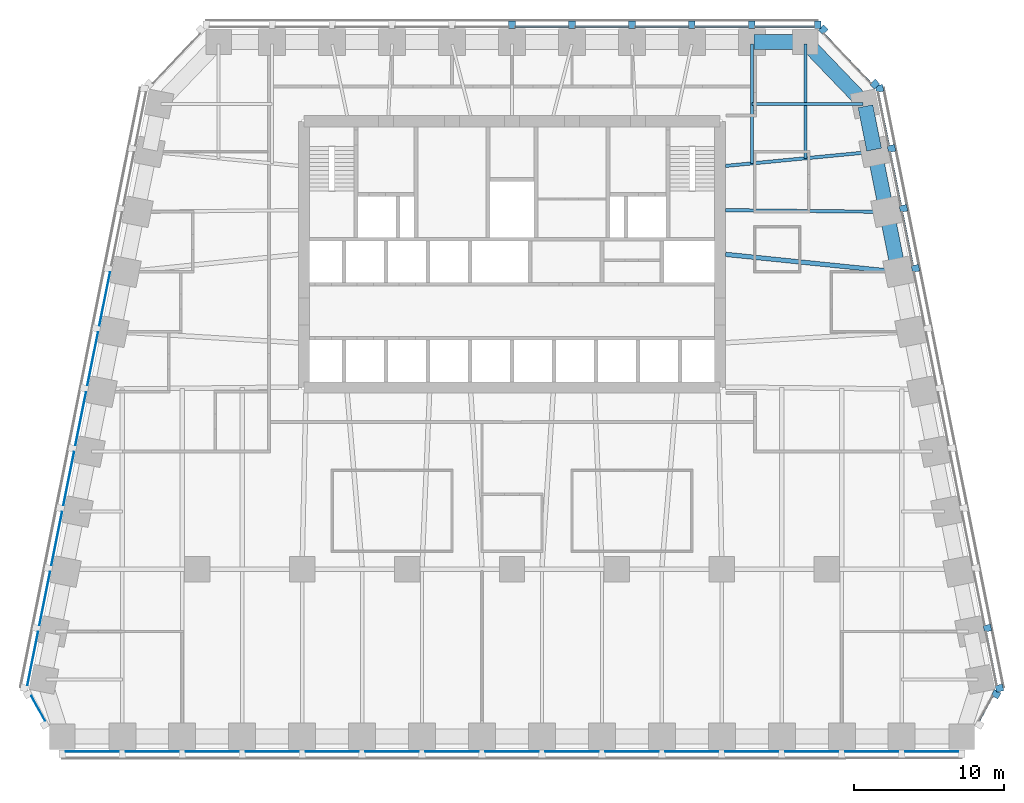
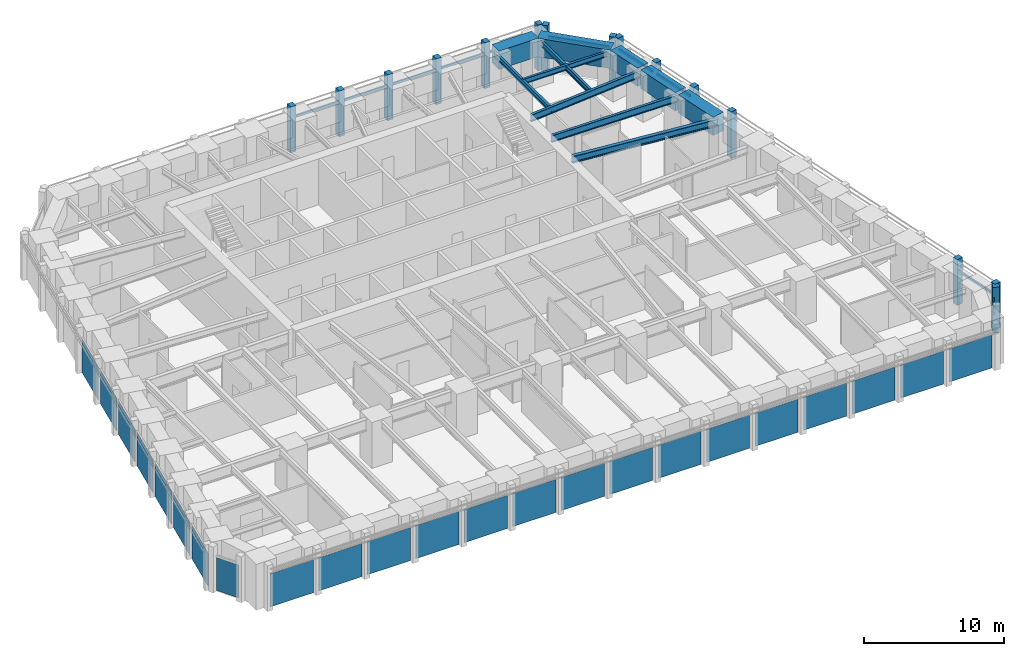
# One storey, part 4 of 10: 26 members, 23 plates, 11 beams, 7 elements without a shape of their own.
"""IFC4 building model written with IfcOpenShell, lengths in metres."""

from ifc_helpers import new_model, si_unit, direction, frame, origin, origin_2d, place, context, subcontext, project, spatial, rectangle, i_section, extrude, material, layer, layer_set, material_profile, profile_set, type_object, element, aggregate, save


model = new_model("IFC4")

# Units and contexts
model_context = context("Model", 3, precision=1e-05, world=origin(), true_north=direction((0.0, 1.0)))
body_context = subcontext(model_context, "Body", "Model", "MODEL_VIEW")
ifc_project = project(units=[si_unit("LENGTHUNIT", "METRE"), si_unit("AREAUNIT", "SQUARE_METRE"), si_unit("VOLUMEUNIT", "CUBIC_METRE"), si_unit("PLANEANGLEUNIT", "RADIAN"), si_unit("MASSUNIT", "GRAM", prefix="KILO")], contexts=[model_context])

# Site, building, storey
site_placement = place(None, origin())
site = spatial("IfcSite", under=ifc_project, at=site_placement, CompositionType="ELEMENT")
building_placement = place(site_placement, origin())
building = spatial("IfcBuilding", under=site, at=building_placement, Name="Isbrekke Arena Tower", CompositionType="ELEMENT")
storey_placement = place(building_placement, frame((0.0, 0.0, 123.0)))
storey = spatial("IfcBuildingStorey", under=building, at=storey_placement, Name="L27", CompositionType="ELEMENT", Elevation=123.0)

# Beams
ifc_material_1 = material(Name="Steel S355", Category="steel")
ifc_material_profile_1 = material_profile(ifc_material_1, i_section(OverallWidth=0.219970703125, OverallDepth=0.60009765625, WebThickness=0.011962890625, FlangeThickness=0.01904296875, FilletRadius=0.02392578125, at=origin_2d()), Name="IPE 600")
ifc_profile_set_1 = profile_set([ifc_material_profile_1], Name="Steel S355")
beam_type_1 = type_object("IfcBeamType", Name="B1 IPE 600", PredefinedType="BEAM", material=ifc_profile_set_1)
beam_1_placement = place(storey_placement, frame((24.83984375, 17.838134765625, 3.550048828125), z_axis=(-0.999944260169, 0.010558245831, 0.0), x_axis=(-0.010558245831, -0.999944260169, 0.0)))
element("IfcBeam", 1, at=beam_1_placement, inside=storey, type_object=beam_type_1, Name="B1 beam E-E09 L27", PredefinedType="BEAM", context=body_context, shape_type="SweptSolid", body=[
    extrude(i_section(OverallWidth=0.219970703125, OverallDepth=0.60009765625, WebThickness=0.011962890625, FlangeThickness=0.01904296875, FilletRadius=0.02392578125, at=origin_2d()), origin(), (0.0, 0.0, 1.0), 10.59033203125),
])
beam_2_placement = place(storey_placement, frame((24.030517578125, 21.837158203125, 3.550048828125), z_axis=(-0.995439798606, -0.095391862082, 0.0), x_axis=(0.095391862082, -0.995439798606, 0.0)))
element("IfcBeam", 2, at=beam_2_placement, inside=storey, type_object=beam_type_1, Name="B1 beam E-E10 L27", PredefinedType="BEAM", context=body_context, shape_type="SweptSolid", body=[
    extrude(i_section(OverallWidth=0.219970703125, OverallDepth=0.60009765625, WebThickness=0.011962890625, FlangeThickness=0.01904296875, FilletRadius=0.02392578125, at=origin_2d()), origin(), (0.0, 0.0, 1.0), 9.825439453125),
])
ifc_material_2 = material(Name="Steel S355", Category="steel")
ifc_material_profile_2 = material_profile(ifc_material_2, i_section(OverallWidth=0.18994140625, OverallDepth=0.449951171875, WebThickness=0.009521484375, FlangeThickness=0.0146484375, FilletRadius=0.02099609375, at=origin_2d()), Name="IPE 450")
ifc_profile_set_2 = profile_set([ifc_material_profile_2], Name="Steel S355")
beam_type_2 = type_object("IfcBeamType", Name="B2 IPE 450", PredefinedType="BEAM", material=ifc_profile_set_2)
beam_3_placement = place(storey_placement, frame((23.40283203125, 25.029296875, 3.625), z_axis=(-1.0, 0.0, 0.0), x_axis=(0.0, -1.0, 0.0)))
element("IfcBeam", 3, at=beam_3_placement, inside=storey, type_object=beam_type_2, Name="B2 beam E-E11 L27", PredefinedType="BEAM", context=body_context, shape_type="SweptSolid", body=[
    extrude(i_section(OverallWidth=0.18994140625, OverallDepth=0.449951171875, WebThickness=0.009521484375, FlangeThickness=0.0146484375, FilletRadius=0.02099609375, at=origin_2d()), origin(), (0.0, 0.0, 1.0), 7.40283203125),
])
ifc_material_3 = material(Name="Steel S355", Category="steel")
ifc_material_profile_3 = material_profile(ifc_material_3, i_section(OverallWidth=0.18994140625, OverallDepth=0.449951171875, WebThickness=0.009521484375, FlangeThickness=0.0146484375, FilletRadius=0.02099609375, at=origin_2d()), Name="IPE 450")
ifc_profile_set_3 = profile_set([ifc_material_profile_3], Name="Steel S355")
beam_type_3 = type_object("IfcBeamType", Name="B3 IPE 450", PredefinedType="BEAM", material=ifc_profile_set_3)
beam_4_placement = place(storey_placement, frame((19.574951171875, 29.02490234375, 3.625), z_axis=(0.0, -1.0, 0.0), x_axis=(1.0, 0.0, 0.0)))
element("IfcBeam", 4, at=beam_4_placement, inside=storey, type_object=beam_type_3, Name="B3 beam N-N01 L27", PredefinedType="BEAM", context=body_context, shape_type="SweptSolid", body=[
    extrude(i_section(OverallWidth=0.18994140625, OverallDepth=0.449951171875, WebThickness=0.009521484375, FlangeThickness=0.0146484375, FilletRadius=0.02099609375, at=origin_2d()), origin(), (0.0, 0.0, 1.0), 7.61474609375),
])
beam_5_placement = place(storey_placement, frame((16.0, 29.02490234375, 3.625), z_axis=(0.0, -1.0, 0.0), x_axis=(1.0, 0.0, 0.0)))
element("IfcBeam", 5, at=beam_5_placement, inside=storey, type_object=beam_type_3, Name="B3 beam N-N02 L27", PredefinedType="BEAM", context=body_context, shape_type="SweptSolid", body=[
    extrude(i_section(OverallWidth=0.18994140625, OverallDepth=0.449951171875, WebThickness=0.009521484375, FlangeThickness=0.0146484375, FilletRadius=0.02099609375, at=origin_2d()), origin(), (0.0, 0.0, 1.0), 7.957275390625),
])
ifc_material_4 = material(Name="Steel S355", Category="steel")
ifc_material_profile_4 = material_profile(ifc_material_4, i_section(OverallWidth=0.300048828125, OverallDepth=0.60009765625, WebThickness=0.015380859375, FlangeThickness=0.030029296875, FilletRadius=0.027099609375, at=origin_2d()), Name="HEB 600")
ifc_profile_set_4 = profile_set([ifc_material_profile_4], Name="Steel S355")
beam_type_4 = type_object("IfcBeamType", Name="B7 HEB 600", PredefinedType="BEAM", material=ifc_profile_set_4)
beam_6_placement = place(storey_placement, frame((25.6259765625, 13.83984375, 3.550048828125), z_axis=(-0.994839949319, 0.10145676537, 0.0), x_axis=(-0.10145676537, -0.994839949319, 0.0)))
element("IfcBeam", 6, at=beam_6_placement, inside=storey, type_object=beam_type_4, Name="B7 beam E-E08 L27", PredefinedType="BEAM", context=body_context, shape_type="SweptSolid", body=[
    extrude(i_section(OverallWidth=0.300048828125, OverallDepth=0.60009765625, WebThickness=0.015380859375, FlangeThickness=0.030029296875, FilletRadius=0.027099609375, at=origin_2d()), origin(), (0.0, 0.0, 1.0), 11.43505859375),
])

# Curtain wall, member
ifc_material_5 = material(Name="Glazed aluminium curtain wall", Category="aluminium")
curtain_wall_type = type_object("IfcCurtainWallType", Name="CWM TOWER CURTAIN WALL MID ZONE", PredefinedType="USERDEFINED", material=ifc_material_5)
curtain_wall_1_placement = place(storey_placement, origin())
curtain_wall_1 = element("IfcCurtainWall", 7, at=curtain_wall_1_placement, inside=storey, type_object=curtain_wall_type, Name="CWM curtain wall L27-SE", ObjectType="TOWER CURTAIN WALL MID ZONE", PredefinedType="USERDEFINED")
ifc_material_6 = material(Name="Aluminium mullion, pale brick slip cladding", Category="masonry")
ifc_material_profile_5 = material_profile(ifc_material_6, rectangle(XDim=0.449951171875, YDim=0.5, at=origin_2d()), Name="PIER 450X500")
ifc_profile_set_5 = profile_set([ifc_material_profile_5], Name="Aluminium mullion, pale brick slip cladding")
member_type_1 = type_object("IfcMemberType", Name="CWM-M PIER MULLION 450 x 500", PredefinedType="MULLION", material=ifc_profile_set_5)
member_1_placement = place(storey_placement, frame((32.296142578125, -14.34375, 0.0), z_axis=(0.0, 0.0, 1.0), x_axis=(0.481918749773, 0.876215908676, 0.0)))
member_1 = element("IfcMember", 8, at=member_1_placement, type_object=member_type_1, Name="CWM-M mullion 2", PredefinedType="MULLION", context=body_context, shape_type="SweptSolid", body=[
    extrude(rectangle(XDim=0.449951171875, YDim=0.5, at=origin_2d()), origin(), (0.0, 0.0, 1.0), 4.0),
])

# Curtain wall, members
curtain_wall_2_placement = place(storey_placement, origin())
curtain_wall_2 = element("IfcCurtainWall", 9, at=curtain_wall_2_placement, inside=storey, type_object=curtain_wall_type, Name="CWM curtain wall L27-E", ObjectType="TOWER CURTAIN WALL MID ZONE", PredefinedType="USERDEFINED")
member_2_placement = place(storey_placement, frame((32.518798828125, -13.936279296875, 0.0), z_axis=(0.0, 0.0, 1.0), x_axis=(-0.196116135138, 0.980580675691, 0.0)))
member_2 = element("IfcMember", 10, at=member_2_placement, type_object=member_type_1, Name="CWM-M mullion 1", PredefinedType="MULLION", context=body_context, shape_type="SweptSolid", body=[
    extrude(rectangle(XDim=0.449951171875, YDim=0.5, at=origin_2d()), origin(), (0.0, 0.0, 1.0), 4.0),
])
member_3_placement = place(storey_placement, frame((31.71875, -9.936279296875, 0.0), z_axis=(0.0, 0.0, 1.0), x_axis=(-0.196116135138, 0.980580675691, 0.0)))
member_3 = element("IfcMember", 11, at=member_3_placement, type_object=member_type_1, Name="CWM-M mullion 2", PredefinedType="MULLION", context=body_context, shape_type="SweptSolid", body=[
    extrude(rectangle(XDim=0.449951171875, YDim=0.5, at=origin_2d()), origin(), (0.0, 0.0, 1.0), 4.0),
])
member_4_placement = place(storey_placement, frame((26.918701171875, 14.063720703125, 0.0), z_axis=(0.0, 0.0, 1.0), x_axis=(-0.196116135138, 0.980580675691, 0.0)))
member_4 = element("IfcMember", 12, at=member_4_placement, type_object=member_type_1, Name="CWM-M mullion 8", PredefinedType="MULLION", context=body_context, shape_type="SweptSolid", body=[
    extrude(rectangle(XDim=0.449951171875, YDim=0.5, at=origin_2d()), origin(), (0.0, 0.0, 1.0), 4.0),
])
member_5_placement = place(storey_placement, frame((26.11865234375, 18.063720703125, 0.0), z_axis=(0.0, 0.0, 1.0), x_axis=(-0.196116135138, 0.980580675691, 0.0)))
member_5 = element("IfcMember", 13, at=member_5_placement, type_object=member_type_1, Name="CWM-M mullion 9", PredefinedType="MULLION", context=body_context, shape_type="SweptSolid", body=[
    extrude(rectangle(XDim=0.449951171875, YDim=0.5, at=origin_2d()), origin(), (0.0, 0.0, 1.0), 4.0),
])
member_6_placement = place(storey_placement, frame((25.318603515625, 22.063720703125, 0.0), z_axis=(0.0, 0.0, 1.0), x_axis=(-0.196116135138, 0.980580675691, 0.0)))
member_6 = element("IfcMember", 14, at=member_6_placement, type_object=member_type_1, Name="CWM-M mullion 10", PredefinedType="MULLION", context=body_context, shape_type="SweptSolid", body=[
    extrude(rectangle(XDim=0.449951171875, YDim=0.5, at=origin_2d()), origin(), (0.0, 0.0, 1.0), 4.0),
])
member_7_placement = place(storey_placement, frame((24.518798828125, 26.063720703125, 0.0), z_axis=(0.0, 0.0, 1.0), x_axis=(-0.196116135138, 0.980580675691, 0.0)))
member_7 = element("IfcMember", 15, at=member_7_placement, type_object=member_type_1, Name="CWM-M mullion 11", PredefinedType="MULLION", context=body_context, shape_type="SweptSolid", body=[
    extrude(rectangle(XDim=0.449951171875, YDim=0.5, at=origin_2d()), origin(), (0.0, 0.0, 1.0), 4.0),
])

curtain_wall_3_placement = place(storey_placement, origin())
curtain_wall_3 = element("IfcCurtainWall", 16, at=curtain_wall_3_placement, inside=storey, type_object=curtain_wall_type, Name="CWM curtain wall L27-EN", ObjectType="TOWER CURTAIN WALL MID ZONE", PredefinedType="USERDEFINED")
member_8_placement = place(storey_placement, frame((24.208251953125, 26.354248046875, 0.0), z_axis=(0.0, 0.0, 1.0), x_axis=(-0.68874946192, 0.72499943359, 0.0)))
member_8 = element("IfcMember", 17, at=member_8_placement, type_object=member_type_1, Name="CWM-M mullion 1", PredefinedType="MULLION", context=body_context, shape_type="SweptSolid", body=[
    extrude(rectangle(XDim=0.449951171875, YDim=0.5, at=origin_2d()), origin(), (0.0, 0.0, 1.0), 4.0),
])
member_9_placement = place(storey_placement, frame((20.7587890625, 29.9853515625, 0.0), z_axis=(0.0, 0.0, 1.0), x_axis=(-0.68874946192, 0.72499943359, 0.0)))
member_9 = element("IfcMember", 18, at=member_9_placement, type_object=member_type_1, Name="CWM-M mullion 2", PredefinedType="MULLION", context=body_context, shape_type="SweptSolid", body=[
    extrude(rectangle(XDim=0.449951171875, YDim=0.5, at=origin_2d()), origin(), (0.0, 0.0, 1.0), 4.0),
])

curtain_wall_4_placement = place(storey_placement, origin())
curtain_wall_4 = element("IfcCurtainWall", 19, at=curtain_wall_4_placement, inside=storey, type_object=curtain_wall_type, Name="CWM curtain wall L27-N", ObjectType="TOWER CURTAIN WALL MID ZONE", PredefinedType="USERDEFINED")
member_10_placement = place(storey_placement, frame((20.39990234375, 30.324951171875, 0.0), z_axis=(0.0, 0.0, 1.0), x_axis=(-1.0, 0.0, 0.0)))
member_10 = element("IfcMember", 20, at=member_10_placement, type_object=member_type_1, Name="CWM-M mullion 1", PredefinedType="MULLION", context=body_context, shape_type="SweptSolid", body=[
    extrude(rectangle(XDim=0.449951171875, YDim=0.5, at=origin_2d()), origin(), (0.0, 0.0, 1.0), 4.0),
])
member_11_placement = place(storey_placement, frame((16.0, 30.324951171875, 0.0), z_axis=(0.0, 0.0, 1.0), x_axis=(-1.0, 0.0, 0.0)))
member_11 = element("IfcMember", 21, at=member_11_placement, type_object=member_type_1, Name="CWM-M mullion 2", PredefinedType="MULLION", context=body_context, shape_type="SweptSolid", body=[
    extrude(rectangle(XDim=0.449951171875, YDim=0.5, at=origin_2d()), origin(), (0.0, 0.0, 1.0), 4.0),
])
member_12_placement = place(storey_placement, frame((12.0, 30.324951171875, 0.0), z_axis=(0.0, 0.0, 1.0), x_axis=(-1.0, 0.0, 0.0)))
member_12 = element("IfcMember", 22, at=member_12_placement, type_object=member_type_1, Name="CWM-M mullion 3", PredefinedType="MULLION", context=body_context, shape_type="SweptSolid", body=[
    extrude(rectangle(XDim=0.449951171875, YDim=0.5, at=origin_2d()), origin(), (0.0, 0.0, 1.0), 4.0),
])
member_13_placement = place(storey_placement, frame((8.0, 30.324951171875, 0.0), z_axis=(0.0, 0.0, 1.0), x_axis=(-1.0, 0.0, 0.0)))
member_13 = element("IfcMember", 23, at=member_13_placement, type_object=member_type_1, Name="CWM-M mullion 4", PredefinedType="MULLION", context=body_context, shape_type="SweptSolid", body=[
    extrude(rectangle(XDim=0.449951171875, YDim=0.5, at=origin_2d()), origin(), (0.0, 0.0, 1.0), 4.0),
])
member_14_placement = place(storey_placement, frame((4.0, 30.324951171875, 0.0), z_axis=(0.0, 0.0, 1.0), x_axis=(-1.0, 0.0, 0.0)))
member_14 = element("IfcMember", 24, at=member_14_placement, type_object=member_type_1, Name="CWM-M mullion 5", PredefinedType="MULLION", context=body_context, shape_type="SweptSolid", body=[
    extrude(rectangle(XDim=0.449951171875, YDim=0.5, at=origin_2d()), origin(), (0.0, 0.0, 1.0), 4.0),
])
member_15_placement = place(storey_placement, frame((0.0, 30.324951171875, 0.0), z_axis=(0.0, 0.0, 1.0), x_axis=(-1.0, 0.0, 0.0)))
member_15 = element("IfcMember", 25, at=member_15_placement, type_object=member_type_1, Name="CWM-M mullion 6", PredefinedType="MULLION", context=body_context, shape_type="SweptSolid", body=[
    extrude(rectangle(XDim=0.449951171875, YDim=0.5, at=origin_2d()), origin(), (0.0, 0.0, 1.0), 4.0),
])

# Member
ifc_material_7 = material(Name="Aluminium transom", Category="aluminium")
ifc_material_profile_6 = material_profile(ifc_material_7, rectangle(XDim=0.1201171875, YDim=0.199951171875, at=origin_2d()), Name="TRANSOM 120X200")
ifc_profile_set_6 = profile_set([ifc_material_profile_6], Name="Aluminium transom")
member_type_2 = type_object("IfcMemberType", Name="CWM-T TRANSOM 120 x 200", PredefinedType="USERDEFINED", material=ifc_profile_set_6)
member_16_placement = place(storey_placement, frame((31.152099609375, -16.112548828125, 3.0), z_axis=(0.482003669577, 0.876169197424, 0.0), x_axis=(-0.876169197424, 0.482003669577, 0.0)))
member_16 = element("IfcMember", 26, at=member_16_placement, type_object=member_type_2, Name="CWM-T transom 1", ObjectType="TRANSOM", PredefinedType="USERDEFINED", context=body_context, shape_type="SweptSolid", body=[
    extrude(rectangle(XDim=0.1201171875, YDim=0.199951171875, at=origin_2d()), origin(), (0.0, 0.0, 1.0), 1.876220703125),
])

aggregate(curtain_wall_1, [member_1, member_16])

member_17_placement = place(storey_placement, frame((32.327392578125, -13.7451171875, 3.0), z_axis=(-0.196090262229, 0.980585849918, 0.0), x_axis=(-0.980585849918, -0.196090262229, 0.0)))
member_17 = element("IfcMember", 27, at=member_17_placement, type_object=member_type_2, Name="CWM-T transom 1", ObjectType="TRANSOM", PredefinedType="USERDEFINED", context=body_context, shape_type="SweptSolid", body=[
    extrude(rectangle(XDim=0.1201171875, YDim=0.199951171875, at=origin_2d()), origin(), (0.0, 0.0, 1.0), 3.62939453125),
])

member_18_placement = place(storey_placement, frame((26.7275390625, 14.2548828125, 3.0), z_axis=(-0.196154943734, 0.980572913173, 0.0), x_axis=(-0.980572913173, -0.196154943734, 0.0)))
member_18 = element("IfcMember", 28, at=member_18_placement, type_object=member_type_2, Name="CWM-T transom 8", ObjectType="TRANSOM", PredefinedType="USERDEFINED", context=body_context, shape_type="SweptSolid", body=[
    extrude(rectangle(XDim=0.1201171875, YDim=0.199951171875, at=origin_2d()), origin(), (0.0, 0.0, 1.0), 3.62939453125),
])

member_19_placement = place(storey_placement, frame((25.927490234375, 18.2548828125, 3.0), z_axis=(-0.196090262229, 0.980585849918, 0.0), x_axis=(-0.980585849918, -0.196090262229, 0.0)))
member_19 = element("IfcMember", 29, at=member_19_placement, type_object=member_type_2, Name="CWM-T transom 9", ObjectType="TRANSOM", PredefinedType="USERDEFINED", context=body_context, shape_type="SweptSolid", body=[
    extrude(rectangle(XDim=0.1201171875, YDim=0.199951171875, at=origin_2d()), origin(), (0.0, 0.0, 1.0), 3.62939453125),
])

member_20_placement = place(storey_placement, frame((25.12744140625, 22.2548828125, 3.0), z_axis=(-0.196090262229, 0.980585849918, 0.0), x_axis=(-0.980585849918, -0.196090262229, 0.0)))
member_20 = element("IfcMember", 30, at=member_20_placement, type_object=member_type_2, Name="CWM-T transom 10", ObjectType="TRANSOM", PredefinedType="USERDEFINED", context=body_context, shape_type="SweptSolid", body=[
    extrude(rectangle(XDim=0.1201171875, YDim=0.199951171875, at=origin_2d()), origin(), (0.0, 0.0, 1.0), 3.62939453125),
])

aggregate(curtain_wall_2, [member_2, member_3, member_4, member_5, member_6, member_7, member_17, member_18, member_19, member_20])

member_21_placement = place(storey_placement, frame((23.944580078125, 26.4140625, 3.0), z_axis=(-0.688771983213, 0.724978037696, 0.0), x_axis=(-0.724978037696, -0.688771983213, 0.0)))
member_21 = element("IfcMember", 31, at=member_21_placement, type_object=member_type_2, Name="CWM-T transom 1", ObjectType="TRANSOM", PredefinedType="USERDEFINED", context=body_context, shape_type="SweptSolid", body=[
    extrude(rectangle(XDim=0.1201171875, YDim=0.199951171875, at=origin_2d()), origin(), (0.0, 0.0, 1.0), 4.558349609375),
])

aggregate(curtain_wall_3, [member_8, member_9, member_21])

member_22_placement = place(storey_placement, frame((20.175048828125, 30.175048828125, 3.0), z_axis=(-1.0, 0.0, 0.0), x_axis=(0.0, -1.0, 0.0)))
member_22 = element("IfcMember", 32, at=member_22_placement, type_object=member_type_2, Name="CWM-T transom 1", ObjectType="TRANSOM", PredefinedType="USERDEFINED", context=body_context, shape_type="SweptSolid", body=[
    extrude(rectangle(XDim=0.1201171875, YDim=0.199951171875, at=origin_2d()), origin(), (0.0, 0.0, 1.0), 3.949951171875),
])

member_23_placement = place(storey_placement, frame((15.77490234375, 30.175048828125, 3.0), z_axis=(-1.0, 0.0, 0.0), x_axis=(0.0, -1.0, 0.0)))
member_23 = element("IfcMember", 33, at=member_23_placement, type_object=member_type_2, Name="CWM-T transom 2", ObjectType="TRANSOM", PredefinedType="USERDEFINED", context=body_context, shape_type="SweptSolid", body=[
    extrude(rectangle(XDim=0.1201171875, YDim=0.199951171875, at=origin_2d()), origin(), (0.0, 0.0, 1.0), 3.5498046875),
])

member_24_placement = place(storey_placement, frame((11.77490234375, 30.175048828125, 3.0), z_axis=(-1.0, 0.0, 0.0), x_axis=(0.0, -1.0, 0.0)))
member_24 = element("IfcMember", 34, at=member_24_placement, type_object=member_type_2, Name="CWM-T transom 3", ObjectType="TRANSOM", PredefinedType="USERDEFINED", context=body_context, shape_type="SweptSolid", body=[
    extrude(rectangle(XDim=0.1201171875, YDim=0.199951171875, at=origin_2d()), origin(), (0.0, 0.0, 1.0), 3.5498046875),
])

member_25_placement = place(storey_placement, frame((7.77490234375, 30.175048828125, 3.0), z_axis=(-1.0, 0.0, 0.0), x_axis=(0.0, -1.0, 0.0)))
member_25 = element("IfcMember", 35, at=member_25_placement, type_object=member_type_2, Name="CWM-T transom 4", ObjectType="TRANSOM", PredefinedType="USERDEFINED", context=body_context, shape_type="SweptSolid", body=[
    extrude(rectangle(XDim=0.1201171875, YDim=0.199951171875, at=origin_2d()), origin(), (0.0, 0.0, 1.0), 3.5498046875),
])

member_26_placement = place(storey_placement, frame((3.77490234375, 30.175048828125, 3.0), z_axis=(-1.0, 0.0, 0.0), x_axis=(0.0, -1.0, 0.0)))
member_26 = element("IfcMember", 36, at=member_26_placement, type_object=member_type_2, Name="CWM-T transom 5", ObjectType="TRANSOM", PredefinedType="USERDEFINED", context=body_context, shape_type="SweptSolid", body=[
    extrude(rectangle(XDim=0.1201171875, YDim=0.199951171875, at=origin_2d()), origin(), (0.0, 0.0, 1.0), 3.5498046875),
])

aggregate(curtain_wall_4, [member_10, member_11, member_12, member_13, member_14, member_15, member_22, member_23, member_24, member_25, member_26])

# Beams
ifc_material_8 = material(Name="Concrete B80 (C80/95)", Category="concrete")
ifc_material_profile_7 = material_profile(ifc_material_8, rectangle(XDim=1.0, YDim=1.60009765625, at=origin_2d()), Name="RC 1000x1600")
ifc_profile_set_7 = profile_set([ifc_material_profile_7], Name="Concrete B80 (C80/95)")
beam_type_5 = type_object("IfcBeamType", Name="SB2 RC 1000 x 1600", PredefinedType="SPANDREL", material=ifc_profile_set_7)
for number, where, z_axis, x_axis, name in (
    (37, (25.76171875, 13.9853515625, 3.199951171875), (-0.196128558387, 0.980578190959, 0.0), (-0.980578190959, -0.196128558387, 0.0), "SB2 spandrel E08-E09 L27"),
    (38, (24.961669921875, 17.9853515625, 3.199951171875), (-0.196128558387, 0.980578190959, 0.0), (-0.980578190959, -0.196128558387, 0.0), "SB2 spandrel E09-E10 L27"),
):
    element("IfcBeam", number, at=place(storey_placement, frame(where, z_axis=z_axis, x_axis=x_axis)), inside=storey, type_object=beam_type_5, Name=name, PredefinedType="SPANDREL", context=body_context, shape_type="SweptSolid", body=[
        extrude(rectangle(XDim=1.0, YDim=1.60009765625, at=origin_2d()), origin(), (0.0, 0.0, 1.0), 3.779296875),
    ])
beam_7_placement = place(storey_placement, frame((24.16162109375, 21.9853515625, 3.199951171875), z_axis=(-0.196116135138, 0.980580675691, 0.0), x_axis=(-0.980580675691, -0.196116135138, 0.0)))
element("IfcBeam", 39, at=beam_7_placement, inside=storey, type_object=beam_type_5, Name="SB2 spandrel E10-E11 L27", PredefinedType="SPANDREL", context=body_context, shape_type="SweptSolid", body=[
    extrude(rectangle(XDim=1.0, YDim=1.60009765625, at=origin_2d()), origin(), (0.0, 0.0, 1.0), 2.9541015625),
])
beam_8_placement = place(storey_placement, frame((23.448974609375, 25.137451171875, 3.199951171875), z_axis=(-0.692339547635, 0.721571861134, 0.0), x_axis=(-0.721571861134, -0.692339547635, 0.0)))
element("IfcBeam", 40, at=beam_8_placement, inside=storey, type_object=beam_type_5, Name="SB2 spandrel E11-N01 L27", PredefinedType="SPANDREL", context=body_context, shape_type="SweptSolid", body=[
    extrude(rectangle(XDim=1.0, YDim=1.60009765625, at=origin_2d()), origin(), (0.0, 0.0, 1.0), 5.4453125),
])
beam_9_placement = place(storey_placement, frame((19.425048828125, 29.175048828125, 3.199951171875), z_axis=(-1.0, 0.0, 0.0), x_axis=(0.0, -1.0, 0.0)))
element("IfcBeam", 41, at=beam_9_placement, inside=storey, type_object=beam_type_5, Name="SB2 spandrel N01-N02 L27", PredefinedType="SPANDREL", context=body_context, shape_type="SweptSolid", body=[
    extrude(rectangle(XDim=1.0, YDim=1.60009765625, at=origin_2d()), origin(), (0.0, 0.0, 1.0), 3.275146484375),
])

# Curtain wall, plates
curtain_wall_5_placement = place(storey_placement, origin())
curtain_wall_5 = element("IfcCurtainWall", 42, at=curtain_wall_5_placement, inside=storey, type_object=curtain_wall_type, Name="CWM curtain wall L27-S", ObjectType="TOWER CURTAIN WALL MID ZONE", PredefinedType="USERDEFINED")
ifc_material_9 = material(Name="Triple-glazed clear glass unit", Category="glass")
ifc_layer = layer(ifc_material_9, 0.031982421875)
ifc_layer_set = layer_set([ifc_layer], Name="CWM-P VISION PANEL")
plate_type = type_object("IfcPlateType", Name="CWM-P VISION PANEL", PredefinedType="CURTAIN_PANEL", material=ifc_layer_set)
plate_1_placement = place(storey_placement, frame((-28.0, -18.175048828125, 0.02001953125), z_axis=(0.0, 0.0, 1.0), x_axis=(1.0, 0.0, 0.0)))
plate_1 = element("IfcPlate", 43, at=plate_1_placement, type_object=plate_type, Name="CWM-P panel 1", PredefinedType="CURTAIN_PANEL", context=body_context, shape_type="SweptSolid", body=[
    extrude(rectangle(XDim=3.550048828125, YDim=0.031982421875, at=origin_2d()), origin(), (0.0, 0.0, 1.0), 2.8798828125),
])
plate_2_placement = place(storey_placement, frame((-24.0, -18.175048828125, 0.02001953125), z_axis=(0.0, 0.0, 1.0), x_axis=(1.0, 0.0, 0.0)))
plate_2 = element("IfcPlate", 44, at=plate_2_placement, type_object=plate_type, Name="CWM-P panel 2", PredefinedType="CURTAIN_PANEL", context=body_context, shape_type="SweptSolid", body=[
    extrude(rectangle(XDim=3.550048828125, YDim=0.031982421875, at=origin_2d()), origin(), (0.0, 0.0, 1.0), 2.8798828125),
])
plate_3_placement = place(storey_placement, frame((-20.0, -18.175048828125, 0.02001953125), z_axis=(0.0, 0.0, 1.0), x_axis=(1.0, 0.0, 0.0)))
plate_3 = element("IfcPlate", 45, at=plate_3_placement, type_object=plate_type, Name="CWM-P panel 3", PredefinedType="CURTAIN_PANEL", context=body_context, shape_type="SweptSolid", body=[
    extrude(rectangle(XDim=3.550048828125, YDim=0.031982421875, at=origin_2d()), origin(), (0.0, 0.0, 1.0), 2.8798828125),
])
plate_4_placement = place(storey_placement, frame((-16.0, -18.175048828125, 0.02001953125), z_axis=(0.0, 0.0, 1.0), x_axis=(1.0, 0.0, 0.0)))
plate_4 = element("IfcPlate", 46, at=plate_4_placement, type_object=plate_type, Name="CWM-P panel 4", PredefinedType="CURTAIN_PANEL", context=body_context, shape_type="SweptSolid", body=[
    extrude(rectangle(XDim=3.550048828125, YDim=0.031982421875, at=origin_2d()), origin(), (0.0, 0.0, 1.0), 2.8798828125),
])
plate_5_placement = place(storey_placement, frame((-12.0, -18.175048828125, 0.02001953125), z_axis=(0.0, 0.0, 1.0), x_axis=(1.0, 0.0, 0.0)))
plate_5 = element("IfcPlate", 47, at=plate_5_placement, type_object=plate_type, Name="CWM-P panel 5", PredefinedType="CURTAIN_PANEL", context=body_context, shape_type="SweptSolid", body=[
    extrude(rectangle(XDim=3.550048828125, YDim=0.031982421875, at=origin_2d()), origin(), (0.0, 0.0, 1.0), 2.8798828125),
])
plate_6_placement = place(storey_placement, frame((-8.0, -18.175048828125, 0.02001953125), z_axis=(0.0, 0.0, 1.0), x_axis=(1.0, 0.0, 0.0)))
plate_6 = element("IfcPlate", 48, at=plate_6_placement, type_object=plate_type, Name="CWM-P panel 6", PredefinedType="CURTAIN_PANEL", context=body_context, shape_type="SweptSolid", body=[
    extrude(rectangle(XDim=3.550048828125, YDim=0.031982421875, at=origin_2d()), origin(), (0.0, 0.0, 1.0), 2.8798828125),
])
plate_7_placement = place(storey_placement, frame((-4.0, -18.175048828125, 0.02001953125), z_axis=(0.0, 0.0, 1.0), x_axis=(1.0, 0.0, 0.0)))
plate_7 = element("IfcPlate", 49, at=plate_7_placement, type_object=plate_type, Name="CWM-P panel 7", PredefinedType="CURTAIN_PANEL", context=body_context, shape_type="SweptSolid", body=[
    extrude(rectangle(XDim=3.550048828125, YDim=0.031982421875, at=origin_2d()), origin(), (0.0, 0.0, 1.0), 2.8798828125),
])
plate_8_placement = place(storey_placement, frame((0.0, -18.175048828125, 0.02001953125), z_axis=(0.0, 0.0, 1.0), x_axis=(1.0, 0.0, 0.0)))
plate_8 = element("IfcPlate", 50, at=plate_8_placement, type_object=plate_type, Name="CWM-P panel 8", PredefinedType="CURTAIN_PANEL", context=body_context, shape_type="SweptSolid", body=[
    extrude(rectangle(XDim=3.550048828125, YDim=0.031982421875, at=origin_2d()), origin(), (0.0, 0.0, 1.0), 2.8798828125),
])
plate_9_placement = place(storey_placement, frame((4.0, -18.175048828125, 0.02001953125), z_axis=(0.0, 0.0, 1.0), x_axis=(1.0, 0.0, 0.0)))
plate_9 = element("IfcPlate", 51, at=plate_9_placement, type_object=plate_type, Name="CWM-P panel 9", PredefinedType="CURTAIN_PANEL", context=body_context, shape_type="SweptSolid", body=[
    extrude(rectangle(XDim=3.550048828125, YDim=0.031982421875, at=origin_2d()), origin(), (0.0, 0.0, 1.0), 2.8798828125),
])
plate_10_placement = place(storey_placement, frame((8.0, -18.175048828125, 0.02001953125), z_axis=(0.0, 0.0, 1.0), x_axis=(1.0, 0.0, 0.0)))
plate_10 = element("IfcPlate", 52, at=plate_10_placement, type_object=plate_type, Name="CWM-P panel 10", PredefinedType="CURTAIN_PANEL", context=body_context, shape_type="SweptSolid", body=[
    extrude(rectangle(XDim=3.550048828125, YDim=0.031982421875, at=origin_2d()), origin(), (0.0, 0.0, 1.0), 2.8798828125),
])
plate_11_placement = place(storey_placement, frame((12.0, -18.175048828125, 0.02001953125), z_axis=(0.0, 0.0, 1.0), x_axis=(1.0, 0.0, 0.0)))
plate_11 = element("IfcPlate", 53, at=plate_11_placement, type_object=plate_type, Name="CWM-P panel 11", PredefinedType="CURTAIN_PANEL", context=body_context, shape_type="SweptSolid", body=[
    extrude(rectangle(XDim=3.550048828125, YDim=0.031982421875, at=origin_2d()), origin(), (0.0, 0.0, 1.0), 2.8798828125),
])
plate_12_placement = place(storey_placement, frame((16.0, -18.175048828125, 0.02001953125), z_axis=(0.0, 0.0, 1.0), x_axis=(1.0, 0.0, 0.0)))
plate_12 = element("IfcPlate", 54, at=plate_12_placement, type_object=plate_type, Name="CWM-P panel 12", PredefinedType="CURTAIN_PANEL", context=body_context, shape_type="SweptSolid", body=[
    extrude(rectangle(XDim=3.550048828125, YDim=0.031982421875, at=origin_2d()), origin(), (0.0, 0.0, 1.0), 2.8798828125),
])
plate_13_placement = place(storey_placement, frame((20.0, -18.175048828125, 0.02001953125), z_axis=(0.0, 0.0, 1.0), x_axis=(1.0, 0.0, 0.0)))
plate_13 = element("IfcPlate", 55, at=plate_13_placement, type_object=plate_type, Name="CWM-P panel 13", PredefinedType="CURTAIN_PANEL", context=body_context, shape_type="SweptSolid", body=[
    extrude(rectangle(XDim=3.550048828125, YDim=0.031982421875, at=origin_2d()), origin(), (0.0, 0.0, 1.0), 2.8798828125),
])
plate_14_placement = place(storey_placement, frame((24.0, -18.175048828125, 0.02001953125), z_axis=(0.0, 0.0, 1.0), x_axis=(1.0, 0.0, 0.0)))
plate_14 = element("IfcPlate", 56, at=plate_14_placement, type_object=plate_type, Name="CWM-P panel 14", PredefinedType="CURTAIN_PANEL", context=body_context, shape_type="SweptSolid", body=[
    extrude(rectangle(XDim=3.550048828125, YDim=0.031982421875, at=origin_2d()), origin(), (0.0, 0.0, 1.0), 2.8798828125),
])
plate_15_placement = place(storey_placement, frame((28.0, -18.175048828125, 0.02001953125), z_axis=(0.0, 0.0, 1.0), x_axis=(1.0, 0.0, 0.0)))
plate_15 = element("IfcPlate", 57, at=plate_15_placement, type_object=plate_type, Name="CWM-P panel 15", PredefinedType="CURTAIN_PANEL", context=body_context, shape_type="SweptSolid", body=[
    extrude(rectangle(XDim=3.550048828125, YDim=0.031982421875, at=origin_2d()), origin(), (0.0, 0.0, 1.0), 2.8798828125),
])
aggregate(curtain_wall_5, [plate_1, plate_2, plate_3, plate_4, plate_5, plate_6, plate_7, plate_8, plate_9, plate_10, plate_11, plate_12, plate_13, plate_14, plate_15])

curtain_wall_6_placement = place(storey_placement, origin())
curtain_wall_6 = element("IfcCurtainWall", 58, at=curtain_wall_6_placement, inside=storey, type_object=curtain_wall_type, Name="CWM curtain wall L27-W", ObjectType="TOWER CURTAIN WALL MID ZONE", PredefinedType="USERDEFINED")
plate_16_placement = place(storey_placement, frame((-27.171630859375, 12.034423828125, 0.02001953125), z_axis=(0.0, 0.0, 1.0), x_axis=(-0.196116135138, -0.980580675691, 0.0)))
plate_16 = element("IfcPlate", 59, at=plate_16_placement, type_object=plate_type, Name="CWM-P panel 4", PredefinedType="CURTAIN_PANEL", context=body_context, shape_type="SweptSolid", body=[
    extrude(rectangle(XDim=3.629150390625, YDim=0.031982421875, at=origin_2d()), origin(), (0.0, 0.0, 1.0), 2.8798828125),
])
plate_17_placement = place(storey_placement, frame((-27.9716796875, 8.034423828125, 0.02001953125), z_axis=(0.0, 0.0, 1.0), x_axis=(-0.196116135138, -0.980580675691, 0.0)))
plate_17 = element("IfcPlate", 60, at=plate_17_placement, type_object=plate_type, Name="CWM-P panel 5", PredefinedType="CURTAIN_PANEL", context=body_context, shape_type="SweptSolid", body=[
    extrude(rectangle(XDim=3.629150390625, YDim=0.031982421875, at=origin_2d()), origin(), (0.0, 0.0, 1.0), 2.8798828125),
])
plate_18_placement = place(storey_placement, frame((-28.771484375, 4.034423828125, 0.02001953125), z_axis=(0.0, 0.0, 1.0), x_axis=(-0.196116135138, -0.980580675691, 0.0)))
plate_18 = element("IfcPlate", 61, at=plate_18_placement, type_object=plate_type, Name="CWM-P panel 6", PredefinedType="CURTAIN_PANEL", context=body_context, shape_type="SweptSolid", body=[
    extrude(rectangle(XDim=3.629150390625, YDim=0.031982421875, at=origin_2d()), origin(), (0.0, 0.0, 1.0), 2.8798828125),
])
plate_19_placement = place(storey_placement, frame((-29.571533203125, 0.034423828125, 0.02001953125), z_axis=(0.0, 0.0, 1.0), x_axis=(-0.196116135138, -0.980580675691, 0.0)))
plate_19 = element("IfcPlate", 62, at=plate_19_placement, type_object=plate_type, Name="CWM-P panel 7", PredefinedType="CURTAIN_PANEL", context=body_context, shape_type="SweptSolid", body=[
    extrude(rectangle(XDim=3.629150390625, YDim=0.031982421875, at=origin_2d()), origin(), (0.0, 0.0, 1.0), 2.8798828125),
])
plate_20_placement = place(storey_placement, frame((-30.37158203125, -3.965576171875, 0.02001953125), z_axis=(0.0, 0.0, 1.0), x_axis=(-0.196116135138, -0.980580675691, 0.0)))
plate_20 = element("IfcPlate", 63, at=plate_20_placement, type_object=plate_type, Name="CWM-P panel 8", PredefinedType="CURTAIN_PANEL", context=body_context, shape_type="SweptSolid", body=[
    extrude(rectangle(XDim=3.629150390625, YDim=0.031982421875, at=origin_2d()), origin(), (0.0, 0.0, 1.0), 2.8798828125),
])
plate_21_placement = place(storey_placement, frame((-31.171630859375, -7.965576171875, 0.02001953125), z_axis=(0.0, 0.0, 1.0), x_axis=(-0.196116135138, -0.980580675691, 0.0)))
plate_21 = element("IfcPlate", 64, at=plate_21_placement, type_object=plate_type, Name="CWM-P panel 9", PredefinedType="CURTAIN_PANEL", context=body_context, shape_type="SweptSolid", body=[
    extrude(rectangle(XDim=3.629150390625, YDim=0.031982421875, at=origin_2d()), origin(), (0.0, 0.0, 1.0), 2.8798828125),
])
plate_22_placement = place(storey_placement, frame((-31.9716796875, -11.965576171875, 0.02001953125), z_axis=(0.0, 0.0, 1.0), x_axis=(-0.196116135138, -0.980580675691, 0.0)))
plate_22 = element("IfcPlate", 65, at=plate_22_placement, type_object=plate_type, Name="CWM-P panel 10", PredefinedType="CURTAIN_PANEL", context=body_context, shape_type="SweptSolid", body=[
    extrude(rectangle(XDim=3.629150390625, YDim=0.031982421875, at=origin_2d()), origin(), (0.0, 0.0, 1.0), 2.8798828125),
])
aggregate(curtain_wall_6, [plate_16, plate_17, plate_18, plate_19, plate_20, plate_21, plate_22])

# Curtain wall, plate
curtain_wall_7_placement = place(storey_placement, origin())
curtain_wall_7 = element("IfcCurtainWall", 66, at=curtain_wall_7_placement, inside=storey, type_object=curtain_wall_type, Name="CWM curtain wall L27-WS", ObjectType="TOWER CURTAIN WALL MID ZONE", PredefinedType="USERDEFINED")
plate_23_placement = place(storey_placement, frame((-31.60400390625, -15.291015625, 0.02001953125), z_axis=(0.0, 0.0, 1.0), x_axis=(0.481918749773, -0.876215908676, 0.0)))
plate_23 = element("IfcPlate", 67, at=plate_23_placement, type_object=plate_type, Name="CWM-P panel 1", PredefinedType="CURTAIN_PANEL", context=body_context, shape_type="SweptSolid", body=[
    extrude(rectangle(XDim=1.878173828125, YDim=0.031982421875, at=origin_2d()), origin(), (0.0, 0.0, 1.0), 2.8798828125),
])
aggregate(curtain_wall_7, [plate_23])

save(model, "model.ifc")
